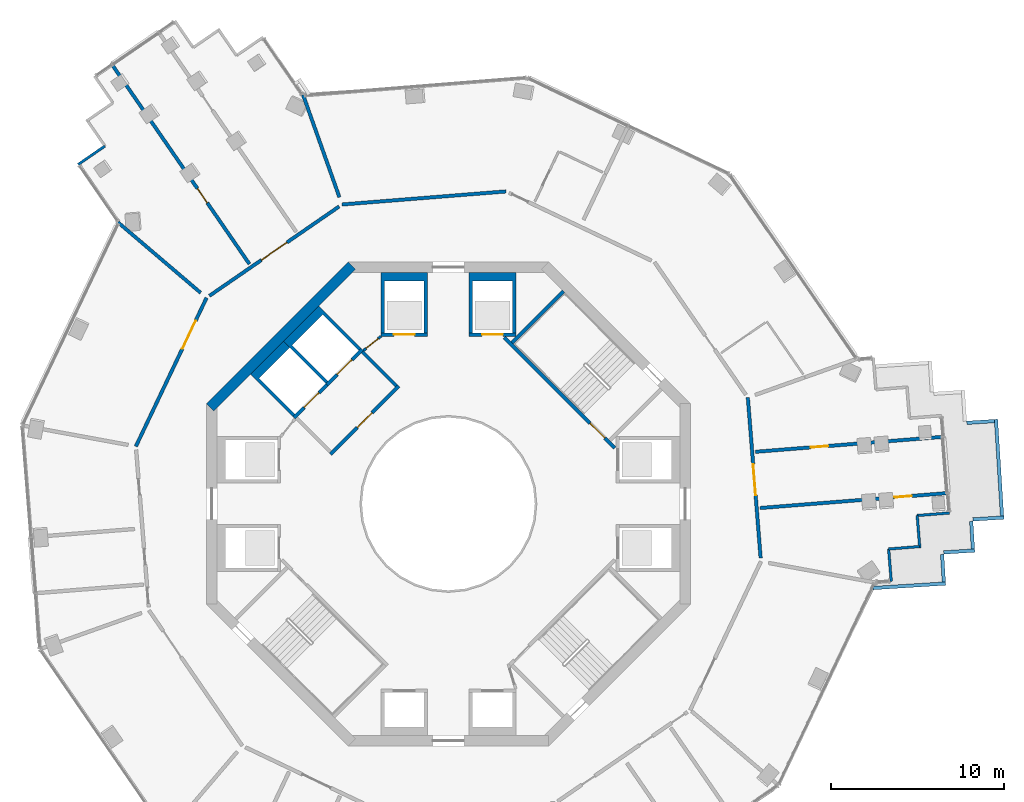
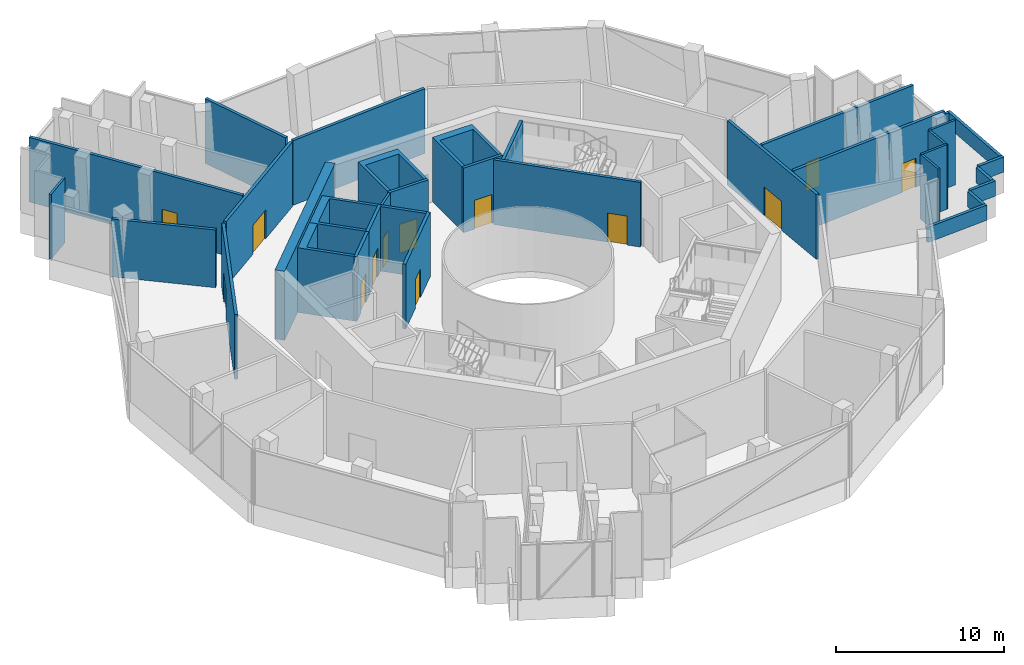
# One storey, part 13 of 21: 35 walls, 13 doors, 13 openings.
"""IFC4 building model written with IfcOpenShell, lengths in metres."""

from ifc_helpers import new_model, si_unit, direction, frame, frame_2d, origin, place, context, subcontext, project, spatial, polyline, rectangle, outline, extrude, material, layer, layer_set, type_object, element, fill, save


model = new_model("IFC4")

# Units and contexts
model_context = context("Model", 3, precision=1e-05, world=origin(), true_north=direction((0.0, 1.0)))
body_context = subcontext(model_context, "Body", "Model", "MODEL_VIEW")
ifc_project = project(units=[si_unit("LENGTHUNIT", "METRE"), si_unit("AREAUNIT", "SQUARE_METRE"), si_unit("VOLUMEUNIT", "CUBIC_METRE"), si_unit("PLANEANGLEUNIT", "RADIAN"), si_unit("MASSUNIT", "GRAM", prefix="KILO")], contexts=[model_context])

# Site, building, storey
site_placement = place(None, origin())
site = spatial("IfcSite", under=ifc_project, at=site_placement, CompositionType="ELEMENT")
building_placement = place(site_placement, origin())
building = spatial("IfcBuilding", under=site, at=building_placement, Name="Verdalira Terraces Hotel", CompositionType="ELEMENT")
storey_placement = place(building_placement, frame((0.0, 0.0, 175.0)))
storey = spatial("IfcBuildingStorey", under=building, at=storey_placement, Name="L42", CompositionType="ELEMENT", Elevation=175.0)

# Wall
ifc_material_1 = material(Name="Concrete C50", Category="concrete")
ifc_layer_1 = layer(ifc_material_1, 0.199951171875)
ifc_layer_set_1 = layer_set([ifc_layer_1], Name="Core RC wall 200 C50")
wall_type_1 = type_object("IfcWallType", Name="Core RC wall 200 C50", PredefinedType="SOLIDWALL", material=ifc_layer_set_1)
wall_1_placement = place(storey_placement, origin())
element("IfcWall", 1, at=wall_1_placement, inside=storey, type_object=wall_type_1, Name="L42 shaft wall N1", PredefinedType="SOLIDWALL", context=body_context, shape_type="SweptSolid", body=[
    extrude(outline(polyline([(3.899902, 9.899902), (3.699951, 9.899902), (3.699951, 12.899902), (1.399902, 12.899902), (1.399902, 9.899902), (1.199951, 9.899902), (1.199951, 13.399902), (3.899902, 13.399902), (3.899902, 9.899902)])), origin(), (0.0, 0.0, 1.0), 4.689941),
])

# Wall, opening, door
wall_2_placement = place(storey_placement, frame((1.199951, 9.800049, 0.0), z_axis=(0.0, 0.0, 1.0), x_axis=(1.0, 0.0, 0.0)))
wall_2 = element("IfcWall", 2, at=wall_2_placement, inside=storey, type_object=wall_type_1, Name="L42 shaft front wall N1", PredefinedType="SOLIDWALL", context=body_context, shape_type="SweptSolid", body=[
    extrude(rectangle(XDim=2.699951, YDim=0.199951, at=frame_2d((1.350098, 0.0))), origin(), (0.0, 0.0, 1.0), 4.689941),
])
opening_1_placement = place(wall_2_placement, frame((0.75, 0.0, 0.0)))
opening_1 = element("IfcOpeningElement", 3, at=opening_1_placement, cuts=wall_2, Name="Opening LD-L42-803", PredefinedType="OPENING", context=body_context, shape_type="SweptSolid", body=[
    extrude(rectangle(XDim=1.199951, YDim=2.100098, at=frame_2d((0.600098, 1.050049))), frame((0.0, 0.109863, 0.0), z_axis=(0.0, -1.0, 0.0), x_axis=(1.0, 0.0, 0.0)), (0.0, 0.0, 1.0), 0.219971),
])
ifc_material_2 = material(Name="Stainless steel", Category="steel")
door_type_1 = type_object("IfcDoorType", Name="Landing door 1200 x 2100", OperationType="NOTDEFINED", PredefinedType="DOOR", material=ifc_material_2)
door_1_placement = place(opening_1_placement, origin())
door_1 = element("IfcDoor", 4, at=door_1_placement, inside=storey, type_object=door_type_1, Name="Lift landing door HR3 L42", OperationType="DOUBLE_DOOR_SLIDING", OverallHeight=2.10009765625, OverallWidth=1.199951171875, PredefinedType="DOOR", context=body_context, shape_type="SweptSolid", body=[
    extrude(rectangle(XDim=1.199951, YDim=2.100098, at=frame_2d((0.600098, 1.050049))), frame((0.0, 0.024902, 0.0), z_axis=(0.0, -1.0, 0.0), x_axis=(1.0, 0.0, 0.0)), (0.0, 0.0, 1.0), 0.050049),
])
fill(opening_1, door_1)

# Wall
wall_3_placement = place(storey_placement, origin())
element("IfcWall", 5, at=wall_3_placement, inside=storey, type_object=wall_type_1, Name="L42 shaft wall N2", PredefinedType="SOLIDWALL", context=body_context, shape_type="SweptSolid", body=[
    extrude(outline(polyline([(-3.899902, 13.399902), (-1.199951, 13.399902), (-1.199951, 9.899902), (-1.399902, 9.899902), (-1.399902, 12.899902), (-3.699951, 12.899902), (-3.699951, 9.899902), (-3.899902, 9.899902), (-3.899902, 13.399902)])), origin(), (0.0, 0.0, 1.0), 4.689941),
])

# Wall, opening, door
wall_4_placement = place(storey_placement, frame((-1.199951, 9.800049, 0.0), z_axis=(0.0, 0.0, 1.0), x_axis=(-1.0, 0.0, 0.0)))
wall_4 = element("IfcWall", 6, at=wall_4_placement, inside=storey, type_object=wall_type_1, Name="L42 shaft front wall N2", PredefinedType="SOLIDWALL", context=body_context, shape_type="SweptSolid", body=[
    extrude(rectangle(XDim=2.699951, YDim=0.199951, at=frame_2d((1.350098, 0.0))), origin(), (0.0, 0.0, 1.0), 4.689941),
])
opening_2_placement = place(wall_4_placement, frame((0.75, 0.0, 0.0)))
opening_2 = element("IfcOpeningElement", 7, at=opening_2_placement, cuts=wall_4, Name="Opening LD-L42-804", PredefinedType="OPENING", context=body_context, shape_type="SweptSolid", body=[
    extrude(rectangle(XDim=1.199951, YDim=2.100098, at=frame_2d((0.600098, 1.050049))), frame((0.0, 0.109863, 0.0), z_axis=(0.0, -1.0, 0.0), x_axis=(1.0, 0.0, 0.0)), (0.0, 0.0, 1.0), 0.219971),
])
door_2_placement = place(opening_2_placement, origin())
door_2 = element("IfcDoor", 8, at=door_2_placement, inside=storey, type_object=door_type_1, Name="Lift landing door HR4 L42", OperationType="DOUBLE_DOOR_SLIDING", OverallHeight=2.10009765625, OverallWidth=1.199951171875, PredefinedType="DOOR", context=body_context, shape_type="SweptSolid", body=[
    extrude(rectangle(XDim=1.199951, YDim=2.100098, at=frame_2d((0.600098, 1.050049))), frame((0.0, 0.024902, 0.0), z_axis=(0.0, -1.0, 0.0), x_axis=(1.0, 0.0, 0.0)), (0.0, 0.0, 1.0), 0.050049),
])
fill(opening_2, door_2)

# Wall
wall_5_placement = place(storey_placement, origin())
element("IfcWall", 9, at=wall_5_placement, inside=storey, type_object=wall_type_1, Name="L42 shaft wall F1", PredefinedType="SOLIDWALL", context=body_context, shape_type="SweptSolid", body=[
    extrude(outline(polyline([(-9.545898, 9.404541), (-7.495361, 11.455078), (-5.055908, 9.015625), (-5.197266, 8.874268), (-7.283203, 10.960205), (-9.051025, 9.192383), (-6.965088, 7.106445), (-7.106445, 6.965088), (-9.545898, 9.404541)])), origin(), (0.0, 0.0, 1.0), 4.689941),
])

# Wall, opening, door
wall_6_placement = place(storey_placement, frame((-4.985107, 8.944824, 0.0), z_axis=(0.0, 0.0, 1.0), x_axis=(-0.707106781, -0.707106781, 0.0)))
wall_6 = element("IfcWall", 10, at=wall_6_placement, inside=storey, type_object=wall_type_1, Name="L42 shaft front wall F1", PredefinedType="SOLIDWALL", context=body_context, shape_type="SweptSolid", body=[
    extrude(rectangle(XDim=2.899902, YDim=0.199951, at=frame_2d((1.449951, 0.0))), origin(), (0.0, 0.0, 1.0), 4.689941),
])
opening_3_placement = place(wall_6_placement, frame((0.850098, 0.0, 0.0)))
opening_3 = element("IfcOpeningElement", 11, at=opening_3_placement, cuts=wall_6, Name="Opening LD-L42-809", PredefinedType="OPENING", context=body_context, shape_type="SweptSolid", body=[
    extrude(rectangle(XDim=1.199951, YDim=2.100098, at=frame_2d((0.600098, 1.050049))), frame((0.0, 0.109863, 0.0), z_axis=(0.0, -1.0, 0.0), x_axis=(1.0, 0.0, 0.0)), (0.0, 0.0, 1.0), 0.219971),
])
door_3_placement = place(opening_3_placement, origin())
door_3 = element("IfcDoor", 12, at=door_3_placement, inside=storey, type_object=door_type_1, Name="Lift landing door LF11 L42", OperationType="DOUBLE_DOOR_SLIDING", OverallHeight=2.10009765625, OverallWidth=1.199951171875, PredefinedType="DOOR", context=body_context, shape_type="SweptSolid", body=[
    extrude(rectangle(XDim=1.199951, YDim=2.100098, at=frame_2d((0.600098, 1.050049))), frame((0.0, 0.024902, 0.0), z_axis=(0.0, -1.0, 0.0), x_axis=(1.0, 0.0, 0.0)), (0.0, 0.0, 1.0), 0.050049),
])
fill(opening_3, door_3)

# Wall
wall_7_placement = place(storey_placement, origin())
element("IfcWall", 13, at=wall_7_placement, inside=storey, type_object=wall_type_1, Name="L42 shaft wall F2", PredefinedType="SOLIDWALL", context=body_context, shape_type="SweptSolid", body=[
    extrude(outline(polyline([(-11.455078, 7.495361), (-9.545898, 9.404541), (-9.192383, 9.051025), (-10.960205, 7.283203), (-8.874268, 5.197266), (-9.015625, 5.055908), (-11.455078, 7.495361)])), origin(), (0.0, 0.0, 1.0), 4.689941),
])

# Wall, opening, door
wall_8_placement = place(storey_placement, frame((-7.035645, 6.894287, 0.0), z_axis=(0.0, 0.0, 1.0), x_axis=(-0.707106781, -0.707106781, 0.0)))
wall_8 = element("IfcWall", 14, at=wall_8_placement, inside=storey, type_object=wall_type_1, Name="L42 shaft front wall F2", PredefinedType="SOLIDWALL", context=body_context, shape_type="SweptSolid", body=[
    extrude(rectangle(XDim=2.699951, YDim=0.199951, at=frame_2d((1.350098, 0.0))), origin(), (0.0, 0.0, 1.0), 4.689941),
])
opening_4_placement = place(wall_8_placement, frame((0.649902, 0.0, 0.0)))
opening_4 = element("IfcOpeningElement", 15, at=opening_4_placement, cuts=wall_8, Name="Opening LD-L42-810", PredefinedType="OPENING", context=body_context, shape_type="SweptSolid", body=[
    extrude(rectangle(XDim=1.199951, YDim=2.100098, at=frame_2d((0.600098, 1.050049))), frame((0.0, 0.109863, 0.0), z_axis=(0.0, -1.0, 0.0), x_axis=(1.0, 0.0, 0.0)), (0.0, 0.0, 1.0), 0.219971),
])
door_4_placement = place(opening_4_placement, origin())
door_4 = element("IfcDoor", 16, at=door_4_placement, inside=storey, type_object=door_type_1, Name="Lift landing door LF12 L42", OperationType="DOUBLE_DOOR_SLIDING", OverallHeight=2.10009765625, OverallWidth=1.199951171875, PredefinedType="DOOR", context=body_context, shape_type="SweptSolid", body=[
    extrude(rectangle(XDim=1.199951, YDim=2.100098, at=frame_2d((0.600098, 1.050049))), frame((0.0, 0.024902, 0.0), z_axis=(0.0, -1.0, 0.0), x_axis=(1.0, 0.0, 0.0)), (0.0, 0.0, 1.0), 0.050049),
])
fill(opening_4, door_4)

wall_9_placement = place(storey_placement, frame((3.23999, 9.629395, 0.0), z_axis=(0.0, 0.0, 1.0), x_axis=(0.707106781, -0.707106781, 0.0)))
wall_9 = element("IfcWall", 17, at=wall_9_placement, inside=storey, type_object=wall_type_1, Name="L42 stair ST1 front wall", PredefinedType="SOLIDWALL", context=body_context, shape_type="SweptSolid", body=[
    extrude(rectangle(XDim=9.035889, YDim=0.199951, at=frame_2d((4.518066, 0.0))), origin(), (0.0, 0.0, 1.0), 4.689941),
])
opening_5_placement = place(wall_9_placement, frame((7.017822, 0.0, 0.0)))
opening_5 = element("IfcOpeningElement", 18, at=opening_5_placement, cuts=wall_9, Name="Opening L42-811", PredefinedType="OPENING", context=body_context, shape_type="SweptSolid", body=[
    extrude(rectangle(XDim=1.199951, YDim=2.100098, at=frame_2d((0.600098, 1.050049))), frame((0.0, 0.109863, 0.0), z_axis=(0.0, -1.0, 0.0), x_axis=(1.0, 0.0, 0.0)), (0.0, 0.0, 1.0), 0.219971),
])
ifc_material_3 = material(Name="Steel fire door", Category="steel")
door_type_2 = type_object("IfcDoorType", Name="Stair door 1200 x 2100", OperationType="NOTDEFINED", PredefinedType="DOOR", material=ifc_material_3)
door_5_placement = place(opening_5_placement, origin())
door_5 = element("IfcDoor", 19, at=door_5_placement, inside=storey, type_object=door_type_2, Name="Stair door ST1 L42", OperationType="SINGLE_SWING_RIGHT", OverallHeight=2.10009765625, OverallWidth=1.199951171875, PredefinedType="DOOR", context=body_context, shape_type="SweptSolid", body=[
    extrude(rectangle(XDim=1.199951, YDim=2.100098, at=frame_2d((0.600098, 1.050049))), frame((0.0, 0.024902, 0.0), z_axis=(0.0, -1.0, 0.0), x_axis=(1.0, 0.0, 0.0)), (0.0, 0.0, 1.0), 0.050049),
])
fill(opening_5, door_5)

# Wall
wall_10_placement = place(storey_placement, frame((3.677002, 9.33374, 0.0), z_axis=(0.0, 0.0, 1.0), x_axis=(0.707077716, 0.707135845, 0.0)))
element("IfcWall", 20, at=wall_10_placement, inside=storey, type_object=wall_type_1, Name="L42 stair ST1 end wall 2", PredefinedType="SOLIDWALL", context=body_context, shape_type="SweptSolid", body=[
    extrude(rectangle(XDim=4.199951, YDim=0.199951, at=frame_2d((2.100098, 0.0))), origin(), (0.0, 0.0, 1.0), 4.689941),
])

# Wall, opening, door
wall_11_placement = place(storey_placement, frame((-2.86377, 6.823486, 0.0), z_axis=(0.0, 0.0, 1.0), x_axis=(-0.707106781, -0.707106781, 0.0)))
wall_11 = element("IfcWall", 21, at=wall_11_placement, inside=storey, type_object=wall_type_1, Name="L42 fire lobby wall", PredefinedType="SOLIDWALL", context=body_context, shape_type="SweptSolid", body=[
    extrude(rectangle(XDim=5.599854, YDim=0.199951, at=frame_2d((2.799805, 0.0))), origin(), (0.0, 0.0, 1.0), 4.689941),
])
opening_6_placement = place(wall_11_placement, frame((2.199951, 0.0, 0.0)))
opening_6 = element("IfcOpeningElement", 22, at=opening_6_placement, cuts=wall_11, Name="Opening L42-821", PredefinedType="OPENING", context=body_context, shape_type="SweptSolid", body=[
    extrude(rectangle(XDim=1.199951, YDim=2.100098, at=frame_2d((0.600098, 1.050049))), frame((0.0, 0.109863, 0.0), z_axis=(0.0, -1.0, 0.0), x_axis=(1.0, 0.0, 0.0)), (0.0, 0.0, 1.0), 0.219971),
])
ifc_material_4 = material(Name="Steel fire door", Category="steel")
door_type_3 = type_object("IfcDoorType", Name="Lobby door 1200 x 2100", OperationType="NOTDEFINED", PredefinedType="DOOR", material=ifc_material_4)
door_6_placement = place(opening_6_placement, origin())
door_6 = element("IfcDoor", 23, at=door_6_placement, inside=storey, type_object=door_type_3, Name="Fire lobby door L42", OperationType="SINGLE_SWING_LEFT", OverallHeight=2.10009765625, OverallWidth=1.199951171875, PredefinedType="DOOR", context=body_context, shape_type="SweptSolid", body=[
    extrude(rectangle(XDim=1.199951, YDim=2.100098, at=frame_2d((0.600098, 1.050049))), frame((0.0, 0.024902, 0.0), z_axis=(0.0, -1.0, 0.0), x_axis=(1.0, 0.0, 0.0)), (0.0, 0.0, 1.0), 0.050049),
])
fill(opening_6, door_6)

# Wall
wall_12_placement = place(storey_placement, frame((-3.005127, 6.823486, 0.0), z_axis=(0.0, 0.0, 1.0), x_axis=(-0.707106781, 0.707106781, 0.0)))
element("IfcWall", 24, at=wall_12_placement, inside=storey, type_object=wall_type_1, Name="L42 fire lobby wall", PredefinedType="SOLIDWALL", context=body_context, shape_type="SweptSolid", body=[
    extrude(rectangle(XDim=2.800049, YDim=0.199951, at=frame_2d((1.399902, 0.0))), origin(), (0.0, 0.0, 1.0), 4.689941),
])

# Wall, opening, door
ifc_material_5 = material(Name="Gypsum board partition")
ifc_layer_2 = layer(ifc_material_5, 0.14990234375)
ifc_layer_set_2 = layer_set([ifc_layer_2], Name="Core partition 150 mm")
wall_type_2 = type_object("IfcWallType", Name="Core partition 150 mm", PredefinedType="PARTITIONING", material=ifc_layer_set_2)
wall_13_placement = place(storey_placement, frame((-3.899902, 9.699951, 0.0), z_axis=(0.0, 0.0, 1.0), x_axis=(-0.775559878, -0.631274009, 0.0)))
wall_13 = element("IfcWall", 25, at=wall_13_placement, inside=storey, type_object=wall_type_2, Name="Room partition L42", PredefinedType="PARTITIONING", context=body_context, shape_type="SweptSolid", body=[
    extrude(rectangle(XDim=1.307861, YDim=0.149902, at=frame_2d((0.653809, 0.0))), origin(), (0.0, 0.0, 1.0), 4.689941),
])
opening_7_placement = place(wall_13_placement, frame((0.204102, 0.0, 0.0)))
opening_7 = element("IfcOpeningElement", 26, at=opening_7_placement, cuts=wall_13, Name="Opening L42-822", PredefinedType="OPENING", context=body_context, shape_type="SweptSolid", body=[
    extrude(rectangle(XDim=0.899902, YDim=2.100098, at=frame_2d((0.449951, 1.050049))), frame((0.0, 0.084961, 0.0), z_axis=(0.0, -1.0, 0.0), x_axis=(1.0, 0.0, 0.0)), (0.0, 0.0, 1.0), 0.169922),
])
ifc_material_6 = material(Name="Steel fire door", Category="steel")
door_type_4 = type_object("IfcDoorType", Name="Core room door 900 x 2100", OperationType="NOTDEFINED", PredefinedType="DOOR", material=ifc_material_6)
door_7_placement = place(opening_7_placement, origin())
door_7 = element("IfcDoor", 27, at=door_7_placement, inside=storey, type_object=door_type_4, Name="Door L42 room2", OperationType="SINGLE_SWING_LEFT", OverallHeight=2.10009765625, OverallWidth=0.89990234375, PredefinedType="DOOR", context=body_context, shape_type="SweptSolid", body=[
    extrude(rectangle(XDim=0.899902, YDim=2.100098, at=frame_2d((0.449951, 1.050049))), frame((0.0, 0.024902, 0.0), z_axis=(0.0, -1.0, 0.0), x_axis=(1.0, 0.0, 0.0)), (0.0, 0.0, 1.0), 0.050049),
])
fill(opening_7, door_7)

# Wall
ifc_material_7 = material(Name="Concrete C60", Category="concrete")
ifc_layer_3 = layer(ifc_material_7, 0.60009765625)
ifc_layer_set_3 = layer_set([ifc_layer_3], Name="Core wall 600 C60")
wall_type_3 = type_object("IfcWallType", Name="Core wall 600 C60", PredefinedType="SHEAR", material=ifc_layer_set_3)
wall_14_placement = place(storey_placement, frame((-5.586914, 13.787842, 0.0), z_axis=(0.0, 0.0, 1.0), x_axis=(-0.707106781, -0.707106781, 0.0)))
element("IfcWall", 28, at=wall_14_placement, inside=storey, type_object=wall_type_3, Name="Core wall CW-L42-4", PredefinedType="SHEAR", context=body_context, shape_type="SweptSolid", body=[
    extrude(rectangle(XDim=11.5979, YDim=0.600098, at=frame_2d((5.798828, 0.0))), origin(), (0.0, 0.0, 1.0), 5.0),
])

# Wall, opening, door
ifc_material_8 = material(Name="Fire-rated gypsum board wall")
ifc_layer_4 = layer(ifc_material_8, 0.199951171875)
ifc_layer_set_4 = layer_set([ifc_layer_4], Name="Demising wall 200 mm")
wall_type_4 = type_object("IfcWallType", Name="Demising wall 200 mm", PredefinedType="SOLIDWALL", material=ifc_layer_set_4)
wall_15_placement = place(storey_placement, frame((-11.510498, 13.877686, 0.0), z_axis=(0.0, 0.0, 1.0), x_axis=(-0.567267242, 0.823533774, 0.0)))
wall_15 = element("IfcWall", 29, at=wall_15_placement, inside=storey, type_object=wall_type_4, Name="Demising wall", PredefinedType="SOLIDWALL", context=body_context, shape_type="SweptSolid", body=[
    extrude(rectangle(XDim=14.041504, YDim=0.199951, at=frame_2d((7.020752, 0.0))), origin(), (0.0, 0.0, 1.0), 4.689941),
])
opening_8_placement = place(wall_15_placement, frame((4.300049, 0.0, 0.0)))
opening_8 = element("IfcOpeningElement", 30, at=opening_8_placement, cuts=wall_15, Name="Opening L42-103", PredefinedType="OPENING", context=body_context, shape_type="SweptSolid", body=[
    extrude(rectangle(XDim=1.0, YDim=2.100098, at=frame_2d((0.5, 1.050049))), frame((0.0, 0.109863, 0.0), z_axis=(0.0, -1.0, 0.0), x_axis=(1.0, 0.0, 0.0)), (0.0, 0.0, 1.0), 0.219971),
])
ifc_material_9 = material(Name="Timber fire door", Category="wood")
door_type_5 = type_object("IfcDoorType", Name="Public room door 1000 x 2100", OperationType="NOTDEFINED", PredefinedType="DOOR", material=ifc_material_9)
door_8_placement = place(opening_8_placement, origin())
door_8 = element("IfcDoor", 31, at=door_8_placement, inside=storey, type_object=door_type_5, Name="Public room door 4201", OperationType="SINGLE_SWING_LEFT", OverallHeight=2.10009765625, OverallWidth=1.0, PredefinedType="DOOR", context=body_context, shape_type="SweptSolid", body=[
    extrude(rectangle(XDim=1.0, YDim=2.100098, at=frame_2d((0.5, 1.050049))), frame((0.0, 0.024902, 0.0), z_axis=(0.0, -1.0, 0.0), x_axis=(1.0, 0.0, 0.0)), (0.0, 0.0, 1.0), 0.050049),
])
fill(opening_8, door_8)

# Wall
wall_16_placement = place(storey_placement, frame((-8.407959, 23.664795, 0.0), z_axis=(0.0, 0.0, 1.0), x_axis=(0.334797289, -0.942290176, 0.0)))
element("IfcWall", 32, at=wall_16_placement, inside=storey, type_object=wall_type_4, Name="Demising wall", PredefinedType="SOLIDWALL", context=body_context, shape_type="SweptSolid", body=[
    extrude(rectangle(XDim=6.282227, YDim=0.199951, at=frame_2d((3.141113, 0.0))), origin(), (0.0, 0.0, 1.0), 4.689941),
])

# Wall, opening, door
wall_17_placement = place(storey_placement, frame((17.774658, 3.01709, 0.0), z_axis=(0.0, 0.0, 1.0), x_axis=(0.996833768, 0.07951376, 0.0)))
wall_17 = element("IfcWall", 33, at=wall_17_placement, inside=storey, type_object=wall_type_4, Name="Demising wall", PredefinedType="SOLIDWALL", context=body_context, shape_type="SweptSolid", body=[
    extrude(rectangle(XDim=10.899902, YDim=0.199951, at=frame_2d((5.449951, 0.0))), origin(), (0.0, 0.0, 1.0), 4.689941),
])
opening_9_placement = place(wall_17_placement, frame((3.199951, 0.0, 0.0)))
opening_9 = element("IfcOpeningElement", 34, at=opening_9_placement, cuts=wall_17, Name="Opening L42-116", PredefinedType="OPENING", context=body_context, shape_type="SweptSolid", body=[
    extrude(rectangle(XDim=1.0, YDim=2.100098, at=frame_2d((0.5, 1.050049))), frame((0.0, 0.109863, 0.0), z_axis=(0.0, -1.0, 0.0), x_axis=(1.0, 0.0, 0.0)), (0.0, 0.0, 1.0), 0.219971),
])
door_9_placement = place(opening_9_placement, origin())
door_9 = element("IfcDoor", 35, at=door_9_placement, inside=storey, type_object=door_type_5, Name="Public room door 4209", OperationType="SINGLE_SWING_LEFT", OverallHeight=2.10009765625, OverallWidth=1.0, PredefinedType="DOOR", context=body_context, shape_type="SweptSolid", body=[
    extrude(rectangle(XDim=1.0, YDim=2.100098, at=frame_2d((0.5, 1.050049))), frame((0.0, 0.024902, 0.0), z_axis=(0.0, -1.0, 0.0), x_axis=(1.0, 0.0, 0.0)), (0.0, 0.0, 1.0), 0.050049),
])
fill(opening_9, door_9)

wall_18_placement = place(storey_placement, frame((28.899902, 0.629395, 0.0), z_axis=(0.0, 0.0, 1.0), x_axis=(-0.996835685, -0.079489728, 0.0)))
wall_18 = element("IfcWall", 36, at=wall_18_placement, inside=storey, type_object=wall_type_4, Name="Demising wall", PredefinedType="SOLIDWALL", context=body_context, shape_type="SweptSolid", body=[
    extrude(rectangle(XDim=10.900146, YDim=0.199951, at=frame_2d((5.450195, 0.0))), origin(), (0.0, 0.0, 1.0), 4.689941),
])
opening_10_placement = place(wall_18_placement, frame((2.100098, 0.0, 0.0)))
opening_10 = element("IfcOpeningElement", 37, at=opening_10_placement, cuts=wall_18, Name="Opening L42-115", PredefinedType="OPENING", context=body_context, shape_type="SweptSolid", body=[
    extrude(rectangle(XDim=1.0, YDim=2.100098, at=frame_2d((0.5, 1.050049))), frame((0.0, 0.109863, 0.0), z_axis=(0.0, -1.0, 0.0), x_axis=(1.0, 0.0, 0.0)), (0.0, 0.0, 1.0), 0.219971),
])
door_10_placement = place(opening_10_placement, origin())
door_10 = element("IfcDoor", 38, at=door_10_placement, inside=storey, type_object=door_type_5, Name="Public room door 4209", OperationType="SINGLE_SWING_LEFT", OverallHeight=2.10009765625, OverallWidth=1.0, PredefinedType="DOOR", context=body_context, shape_type="SweptSolid", body=[
    extrude(rectangle(XDim=1.0, YDim=2.100098, at=frame_2d((0.5, 1.050049))), frame((0.0, 0.024902, 0.0), z_axis=(0.0, -1.0, 0.0), x_axis=(1.0, 0.0, 0.0)), (0.0, 0.0, 1.0), 0.050049),
])
fill(opening_10, door_10)

# Wall
ifc_material_10 = material(Name="Fire-rated gypsum board wall")
ifc_layer_5 = layer(ifc_material_10, 0.199951171875)
ifc_layer_set_5 = layer_set([ifc_layer_5], Name="Demising wall 200 mm to beam soffit")
wall_type_5 = type_object("IfcWallType", Name="Demising wall 200 mm to beam soffit", PredefinedType="SOLIDWALL", material=ifc_layer_set_5)
wall_19_placement = place(storey_placement, frame((-14.332764, 12.215332, 0.0), z_axis=(0.0, 0.0, 1.0), x_axis=(-0.76108334, 0.648654107, 0.0)))
element("IfcWall", 39, at=wall_19_placement, inside=storey, type_object=wall_type_5, Name="Demising wall", PredefinedType="SOLIDWALL", context=body_context, shape_type="SweptSolid", body=[
    extrude(rectangle(XDim=6.282227, YDim=0.199951, at=frame_2d((3.141113, 0.0))), origin(), (0.0, 0.0, 1.0), 4.189941),
])

# Wall, opening, door
ifc_material_11 = material(Name="Fire-rated gypsum board wall")
ifc_layer_6 = layer(ifc_material_11, 0.199951171875)
ifc_layer_set_6 = layer_set([ifc_layer_6], Name="Guest corridor wall 200 mm")
wall_type_6 = type_object("IfcWallType", Name="Guest corridor wall 200 mm", PredefinedType="SOLIDWALL", material=ifc_layer_set_6)
wall_20_placement = place(storey_placement, frame((-18.080322, 3.331543, 0.0), z_axis=(0.0, 0.0, 1.0), x_axis=(0.429559111, 0.903038742, 0.0)))
wall_20 = element("IfcWall", 40, at=wall_20_placement, inside=storey, type_object=wall_type_6, Name="Guest corridor wall", PredefinedType="SOLIDWALL", context=body_context, shape_type="SweptSolid", body=[
    extrude(rectangle(XDim=9.516602, YDim=0.199951, at=frame_2d((4.758301, 0.0))), origin(), (0.0, 0.0, 1.0), 4.689941),
])
opening_11_placement = place(wall_20_placement, frame((6.25, 0.0, 0.0)))
opening_11 = element("IfcOpeningElement", 41, at=opening_11_placement, cuts=wall_20, Name="Opening L42-104", PredefinedType="OPENING", context=body_context, shape_type="SweptSolid", body=[
    extrude(rectangle(XDim=1.800049, YDim=2.100098, at=frame_2d((0.899902, 1.050049))), frame((0.0, 0.109863, 0.0), z_axis=(0.0, -1.0, 0.0), x_axis=(1.0, 0.0, 0.0)), (0.0, 0.0, 1.0), 0.219971),
])
ifc_material_12 = material(Name="Timber fire door", Category="wood")
door_type_6 = type_object("IfcDoorType", Name="Public room double door 1800 x 2100", OperationType="NOTDEFINED", PredefinedType="DOOR", material=ifc_material_12)
door_11_placement = place(opening_11_placement, origin())
door_11 = element("IfcDoor", 42, at=door_11_placement, inside=storey, type_object=door_type_6, Name="Public room double door 4202", OperationType="DOUBLE_DOOR_SINGLE_SWING", OverallHeight=2.10009765625, OverallWidth=1.800048828125, PredefinedType="DOOR", context=body_context, shape_type="SweptSolid", body=[
    extrude(rectangle(XDim=1.800049, YDim=2.100098, at=frame_2d((0.899902, 1.050049))), frame((0.0, 0.024902, 0.0), z_axis=(0.0, -1.0, 0.0), x_axis=(1.0, 0.0, 0.0)), (0.0, 0.0, 1.0), 0.050049),
])
fill(opening_11, door_11)

wall_21_placement = place(storey_placement, frame((-13.827637, 12.038818, 0.0), z_axis=(0.0, 0.0, 1.0), x_axis=(0.823529008, 0.56727416, 0.0)))
wall_21 = element("IfcWall", 43, at=wall_21_placement, inside=storey, type_object=wall_type_6, Name="Guest corridor wall", PredefinedType="SOLIDWALL", context=body_context, shape_type="SweptSolid", body=[
    extrude(rectangle(XDim=9.116699, YDim=0.199951, at=frame_2d((4.55835, 0.0))), origin(), (0.0, 0.0, 1.0), 4.689941),
])
opening_12_placement = place(wall_21_placement, frame((3.651367, 0.0, 0.0)))
opening_12 = element("IfcOpeningElement", 44, at=opening_12_placement, cuts=wall_21, Name="Opening L42-101", PredefinedType="OPENING", context=body_context, shape_type="SweptSolid", body=[
    extrude(rectangle(XDim=1.800049, YDim=2.100098, at=frame_2d((0.899902, 1.050049))), frame((0.0, 0.109863, 0.0), z_axis=(0.0, -1.0, 0.0), x_axis=(1.0, 0.0, 0.0)), (0.0, 0.0, 1.0), 0.219971),
])
door_12_placement = place(opening_12_placement, origin())
door_12 = element("IfcDoor", 45, at=door_12_placement, inside=storey, type_object=door_type_6, Name="Public room double door 4201", OperationType="DOUBLE_DOOR_SINGLE_SWING", OverallHeight=2.10009765625, OverallWidth=1.800048828125, PredefinedType="DOOR", context=body_context, shape_type="SweptSolid", body=[
    extrude(rectangle(XDim=1.800049, YDim=2.100098, at=frame_2d((0.899902, 1.050049))), frame((0.0, 0.024902, 0.0), z_axis=(0.0, -1.0, 0.0), x_axis=(1.0, 0.0, 0.0)), (0.0, 0.0, 1.0), 0.050049),
])
fill(opening_12, door_12)

# Wall
wall_22_placement = place(storey_placement, frame((3.330811, 18.080322, 0.0), z_axis=(0.0, 0.0, 1.0), x_axis=(-0.996834258, -0.079507628, 0.0)))
element("IfcWall", 46, at=wall_22_placement, inside=storey, type_object=wall_type_6, Name="Guest corridor wall", PredefinedType="SOLIDWALL", context=body_context, shape_type="SweptSolid", body=[
    extrude(rectangle(XDim=9.515869, YDim=0.199951, at=frame_2d((4.757812, 0.0))), origin(), (0.0, 0.0, 1.0), 4.689941),
])

# Wall, opening, door
wall_23_placement = place(storey_placement, frame((17.32373, 6.155029, 0.0), z_axis=(0.0, 0.0, 1.0), x_axis=(0.079505668, -0.996834414, 0.0)))
wall_23 = element("IfcWall", 47, at=wall_23_placement, inside=storey, type_object=wall_type_6, Name="Guest corridor wall", PredefinedType="SOLIDWALL", context=body_context, shape_type="SweptSolid", body=[
    extrude(rectangle(XDim=9.31665, YDim=0.199951, at=frame_2d((4.658203, 0.0))), origin(), (0.0, 0.0, 1.0), 4.689941),
])
opening_13_placement = place(wall_23_placement, frame((3.864014, 0.0, 0.0)))
opening_13 = element("IfcOpeningElement", 48, at=opening_13_placement, cuts=wall_23, Name="Opening L42-114", PredefinedType="OPENING", context=body_context, shape_type="SweptSolid", body=[
    extrude(rectangle(XDim=1.800049, YDim=2.100098, at=frame_2d((0.899902, 1.050049))), frame((0.0, 0.109863, 0.0), z_axis=(0.0, -1.0, 0.0), x_axis=(1.0, 0.0, 0.0)), (0.0, 0.0, 1.0), 0.219971),
])
door_13_placement = place(opening_13_placement, origin())
door_13 = element("IfcDoor", 49, at=door_13_placement, inside=storey, type_object=door_type_6, Name="Public room double door 4209", OperationType="DOUBLE_DOOR_SINGLE_SWING", OverallHeight=2.10009765625, OverallWidth=1.800048828125, PredefinedType="DOOR", context=body_context, shape_type="SweptSolid", body=[
    extrude(rectangle(XDim=1.800049, YDim=2.100098, at=frame_2d((0.899902, 1.050049))), frame((0.0, 0.024902, 0.0), z_axis=(0.0, -1.0, 0.0), x_axis=(1.0, 0.0, 0.0)), (0.0, 0.0, 1.0), 0.050049),
])
fill(opening_13, door_13)

# Walls
ifc_material_13 = material(Name="Terracotta cladding", Category="masonry")
ifc_layer_7 = layer(ifc_material_13, 0.199951171875)
ifc_layer_set_7 = layer_set([ifc_layer_7], Name="Terracotta clad parapet 200")
wall_type_7 = type_object("IfcWallType", Name="Terracotta clad parapet 200", PredefinedType="PARAPET", material=ifc_layer_set_7)
wall_24_placement = place(storey_placement, frame((24.562744, -4.867188, 0.0), z_axis=(0.0, 0.0, 1.0), x_axis=(0.998027941, 0.062771238, 0.0)))
element("IfcWall", 50, at=wall_24_placement, inside=storey, type_object=wall_type_7, Name="Terracotta clad parapet", PredefinedType="PARAPET", context=body_context, shape_type="SweptSolid", body=[
    extrude(rectangle(XDim=4.216064, YDim=0.199951, at=frame_2d((2.10791, 0.0))), origin(), (0.0, 0.0, 1.0), 1.100098),
])
wall_25_placement = place(storey_placement, frame((28.664307, -4.509033, 0.0), z_axis=(0.0, 0.0, 1.0), x_axis=(-0.062710755, 0.998031744, 0.0)))
element("IfcWall", 51, at=wall_25_placement, inside=storey, type_object=wall_type_7, Name="Terracotta clad parapet", PredefinedType="PARAPET", context=body_context, shape_type="SweptSolid", body=[
    extrude(rectangle(XDim=1.600098, YDim=0.199951, at=frame_2d((0.800049, 0.0))), origin(), (0.0, 0.0, 1.0), 1.100098),
])
wall_26_placement = place(storey_placement, frame((28.657471, -2.806152, 0.0), z_axis=(0.0, 0.0, 1.0), x_axis=(0.9980261, 0.062800501, 0.0)))
element("IfcWall", 52, at=wall_26_placement, inside=storey, type_object=wall_type_7, Name="Terracotta clad parapet", PredefinedType="PARAPET", context=body_context, shape_type="SweptSolid", body=[
    extrude(rectangle(XDim=1.800049, YDim=0.199951, at=frame_2d((0.899902, 0.0))), origin(), (0.0, 0.0, 1.0), 1.100098),
])
wall_27_placement = place(storey_placement, frame((30.3479, -2.599609, 0.0), z_axis=(0.0, 0.0, 1.0), x_axis=(-0.062862733, 0.998022182, 0.0)))
element("IfcWall", 53, at=wall_27_placement, inside=storey, type_object=wall_type_7, Name="Terracotta clad parapet", PredefinedType="PARAPET", context=body_context, shape_type="SweptSolid", body=[
    extrude(rectangle(XDim=1.600098, YDim=0.199951, at=frame_2d((0.800049, 0.0))), origin(), (0.0, 0.0, 1.0), 1.100098),
])
wall_28_placement = place(storey_placement, frame((30.34082, -0.896729, 0.0), z_axis=(0.0, 0.0, 1.0), x_axis=(0.998026635, 0.062792001, 0.0)))
element("IfcWall", 54, at=wall_28_placement, inside=storey, type_object=wall_type_7, Name="Terracotta clad parapet", PredefinedType="PARAPET", context=body_context, shape_type="SweptSolid", body=[
    extrude(rectangle(XDim=1.800293, YDim=0.199951, at=frame_2d((0.900146, 0.0))), origin(), (0.0, 0.0, 1.0), 1.100098),
])
wall_29_placement = place(storey_placement, frame((32.03125, -0.690186, 0.0), z_axis=(0.0, 0.0, 1.0), x_axis=(-0.062777255, 0.998027563, 0.0)))
element("IfcWall", 55, at=wall_29_placement, inside=storey, type_object=wall_type_7, Name="Terracotta clad parapet", PredefinedType="PARAPET", context=body_context, shape_type="SweptSolid", body=[
    extrude(rectangle(XDim=5.600098, YDim=0.199951, at=frame_2d((2.800049, 0.0))), origin(), (0.0, 0.0, 1.0), 1.100098),
])
wall_30_placement = place(storey_placement, frame((31.586182, 4.792725, 0.0), z_axis=(0.0, 0.0, 1.0), x_axis=(-0.998031744, -0.062710755, 0.0)))
element("IfcWall", 56, at=wall_30_placement, inside=storey, type_object=wall_type_7, Name="Terracotta clad parapet", PredefinedType="PARAPET", context=body_context, shape_type="SweptSolid", body=[
    extrude(rectangle(XDim=1.600098, YDim=0.199951, at=frame_2d((0.800049, 0.0))), origin(), (0.0, 0.0, 1.0), 1.100098),
])
ifc_material_14 = material(Name="Terracotta cladding", Category="masonry")
ifc_layer_8 = layer(ifc_material_14, 0.14990234375)
ifc_layer_set_8 = layer_set([ifc_layer_8], Name="Terracotta clad wall 150")
wall_type_8 = type_object("IfcWallType", Name="Terracotta clad wall 150", PredefinedType="SOLIDWALL", material=ifc_layer_set_8)
for number, where, z_axis, x_axis, name in (
    (57, (-19.876709, 20.702881, 0.0), (0.0, 0.0, 1.0), (-0.823581944, -0.567197304, 0.0), "Terracotta cladding wall"),
    (58, (25.620361, -4.477295, 0.0), (0.0, 0.0, 1.0), (-0.079424366, 0.996840895, 0.0), "Terracotta cladding wall"),
):
    element("IfcWall", number, at=place(storey_placement, frame(where, z_axis=z_axis, x_axis=x_axis)), inside=storey, type_object=wall_type_8, Name=name, PredefinedType="SOLIDWALL", context=body_context, shape_type="SweptSolid", body=[
        extrude(rectangle(XDim=1.875, YDim=0.149902, at=frame_2d((0.9375, 0.0))), origin(), (0.0, 0.0, 1.0), 4.689941),
    ])
wall_31_placement = place(storey_placement, frame((25.471436, -2.608154, 0.0), z_axis=(0.0, 0.0, 1.0), x_axis=(0.996835947, 0.079486442, 0.0)))
element("IfcWall", 59, at=wall_31_placement, inside=storey, type_object=wall_type_8, Name="Terracotta cladding wall", PredefinedType="SOLIDWALL", context=body_context, shape_type="SweptSolid", body=[
    extrude(rectangle(XDim=1.799805, YDim=0.149902, at=frame_2d((0.899902, 0.0))), origin(), (0.0, 0.0, 1.0), 4.689941),
])
wall_32_placement = place(storey_placement, frame((27.271484, -2.539795, 0.0), z_axis=(0.0, 0.0, 1.0), x_axis=(-0.079434676, 0.996840074, 0.0)))
element("IfcWall", 60, at=wall_32_placement, inside=storey, type_object=wall_type_8, Name="Terracotta cladding wall", PredefinedType="SOLIDWALL", context=body_context, shape_type="SweptSolid", body=[
    extrude(rectangle(XDim=1.874756, YDim=0.149902, at=frame_2d((0.9375, 0.0))), origin(), (0.0, 0.0, 1.0), 4.689941),
])
wall_33_placement = place(storey_placement, frame((27.122559, -0.670898, 0.0), z_axis=(0.0, 0.0, 1.0), x_axis=(0.996830578, 0.079553747, 0.0)))
element("IfcWall", 61, at=wall_33_placement, inside=storey, type_object=wall_type_8, Name="Terracotta cladding wall", PredefinedType="SOLIDWALL", context=body_context, shape_type="SweptSolid", body=[
    extrude(rectangle(XDim=1.875, YDim=0.149902, at=frame_2d((0.9375, 0.0))), origin(), (0.0, 0.0, 1.0), 4.689941),
])

save(model, "model.ifc")
